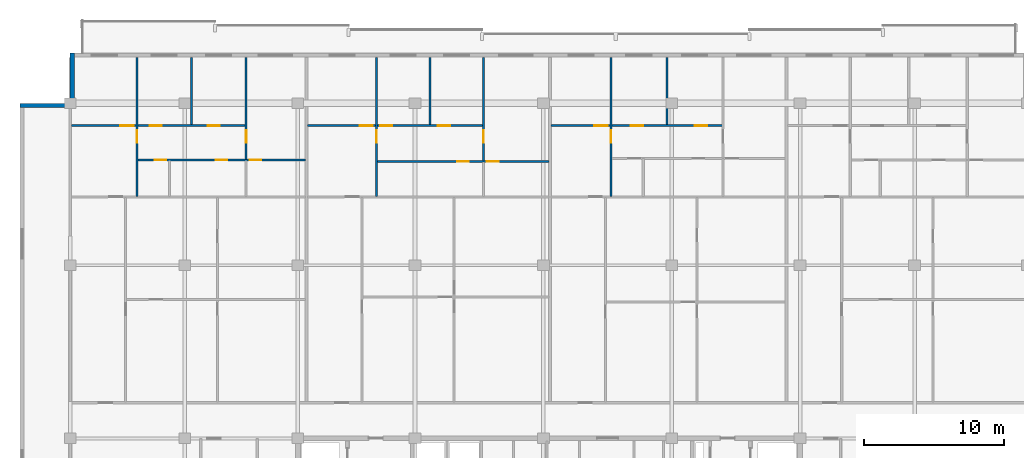
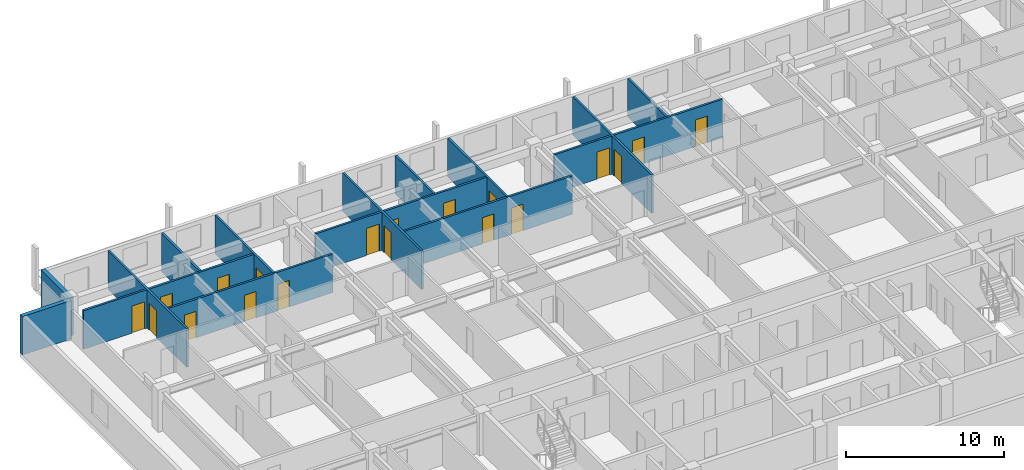
# One storey, part 15 of 23: 19 doors, 15 walls, 19 openings.
"""IFC4 building model written with IfcOpenShell, lengths in metres."""

from ifc_helpers import new_model, si_unit, direction, frame, frame_2d, origin, place, context, subcontext, project, spatial, rectangle, extrude, material, layer, layer_set, type_object, element, fill, save


model = new_model("IFC4")

# Units and contexts
model_context = context("Model", 3, precision=1e-05, world=origin(), true_north=direction((0.0, 1.0)))
body_context = subcontext(model_context, "Body", "Model", "MODEL_VIEW")
ifc_project = project(units=[si_unit("LENGTHUNIT", "METRE"), si_unit("AREAUNIT", "SQUARE_METRE"), si_unit("VOLUMEUNIT", "CUBIC_METRE"), si_unit("PLANEANGLEUNIT", "RADIAN"), si_unit("MASSUNIT", "GRAM", prefix="KILO")], contexts=[model_context])

# Site, building, storey
site_placement = place(None, origin())
site = spatial("IfcSite", under=ifc_project, at=site_placement, CompositionType="ELEMENT")
building_placement = place(site_placement, origin())
building = spatial("IfcBuilding", under=site, at=building_placement, Name="Korimba Cascade Residences", CompositionType="ELEMENT")
storey_placement = place(building_placement, frame((0.0, 0.0, 162.10009765625)))
storey = spatial("IfcBuildingStorey", under=building, at=storey_placement, Name="L46", CompositionType="ELEMENT", Elevation=162.10009765625)

# Walls
ifc_material_1 = material(Name="Precast concrete C40/50", Category="concrete")
ifc_layer_1 = layer(ifc_material_1, 0.300048828125)
ifc_layer_set_1 = layer_set([ifc_layer_1], Name="Precast concrete C40/50")
wall_type_1 = type_object("IfcWallType", Name="EW-STONE-300", PredefinedType="STANDARD", material=ifc_layer_set_1)
for number, where, z_axis, x_axis, name in (
    (1, (59.949951171875, 94.800048828125, 0.0), (0.0, 0.0, 1.0), (0.0, -1.0, 0.0), "L46 T1 Perimeter Stone Wall E07"),
    (2, (59.800048828125, 91.050048828125, 0.0), (0.0, 0.0, 1.0), (-1.0, 0.0, 0.0), "L46 T1 Perimeter Stone Wall E08"),
):
    element("IfcWall", number, at=place(storey_placement, frame(where, z_axis=z_axis, x_axis=x_axis)), inside=storey, type_object=wall_type_1, Name=name, PredefinedType="STANDARD", context=body_context, shape_type="SweptSolid", body=[
        extrude(rectangle(XDim=3.60009765625, YDim=0.300048828125, at=frame_2d((1.800048828125, 0.0))), origin(), (0.0, 0.0, 1.0), 2.969970703125),
    ])
ifc_material_2 = material(Name="Insulated Acoustic Stud Partition", Category="gypsum")
ifc_layer_2 = layer(ifc_material_2, 0.14990234375)
ifc_layer_set_2 = layer_set([ifc_layer_2], Name="Insulated Acoustic Stud Partition")
wall_type_2 = type_object("IfcWallType", Name="WAL-PART-150", PredefinedType="PARTITIONING", material=ifc_layer_set_2)
wall_1_placement = place(storey_placement, frame((68.49755859375, 89.679931640625, 0.0), z_axis=(0.0, 0.0, 1.0), x_axis=(0.0, 1.0, 0.0)))
element("IfcWall", 3, at=wall_1_placement, inside=storey, type_object=wall_type_2, Name="L46 Partition Wall WAL-L46-T1-U01-VB3", PredefinedType="PARTITIONING", context=body_context, shape_type="SweptSolid", body=[
    extrude(rectangle(XDim=4.820068359375, YDim=0.14990234375, at=frame_2d((2.41015625, 0.0))), origin(), (0.0, 0.0, 1.0), 2.969970703125),
])

# Wall, opening, door
wall_2_placement = place(storey_placement, frame((64.590087890625, 84.5400390625, 0.0), z_axis=(0.0, 0.0, 1.0), x_axis=(0.0, 1.0, 0.0)))
wall_2 = element("IfcWall", 4, at=wall_2_placement, inside=storey, type_object=wall_type_2, Name="L46 Partition Wall WAL-L46-T1-U01-V1", PredefinedType="PARTITIONING", context=body_context, shape_type="SweptSolid", body=[
    extrude(rectangle(XDim=9.9599609375, YDim=0.14990234375, at=frame_2d((4.97998046875, 0.0))), origin(), (0.0, 0.0, 1.0), 2.969970703125),
])
opening_1_placement = place(wall_2_placement, frame((3.820068359375, 0.0, 0.0)))
opening_1 = element("IfcOpeningElement", 5, at=opening_1_placement, cuts=wall_2, Name="Opening D-IN1", PredefinedType="OPENING", context=body_context, shape_type="SweptSolid", body=[
    extrude(rectangle(XDim=0.919921875, YDim=2.080078125, at=frame_2d((0.4599609375, 1.0400390625))), frame((0.0, 0.0849609375, 0.0), z_axis=(0.0, -1.0, 0.0), x_axis=(1.0, 0.0, 0.0)), (0.0, 0.0, 1.0), 0.169921875),
])
ifc_material_3 = material(Name="Acoustic Timber Living Door", Category="wood")
door_type_1 = type_object("IfcDoorType", Name="DR-INT-920", OperationType="NOTDEFINED", PredefinedType="DOOR", material=ifc_material_3)
door_1_placement = place(opening_1_placement, origin())
door_1 = element("IfcDoor", 6, at=door_1_placement, inside=storey, type_object=door_type_1, Name="L46-T1-U01 Hallway Door", OperationType="SINGLE_SWING_RIGHT", OverallHeight=2.080078125, OverallWidth=0.919921875, PredefinedType="DOOR", context=body_context, shape_type="SweptSolid", body=[
    extrude(rectangle(XDim=0.919921875, YDim=2.080078125, at=frame_2d((0.4599609375, 1.0400390625))), frame((0.0, 0.02490234375, 0.0), z_axis=(0.0, -1.0, 0.0), x_axis=(1.0, 0.0, 0.0)), (0.0, 0.0, 1.0), 0.050048828125),
])
fill(opening_1, door_1)

wall_3_placement = place(storey_placement, frame((72.405029296875, 87.159912109375, 0.0), z_axis=(0.0, 0.0, 1.0), x_axis=(0.0, 1.0, 0.0)))
wall_3 = element("IfcWall", 7, at=wall_3_placement, inside=storey, type_object=wall_type_2, Name="L46 Partition Wall WAL-L46-T1-U01-V2FULL", PredefinedType="PARTITIONING", context=body_context, shape_type="SweptSolid", body=[
    extrude(rectangle(XDim=7.340087890625, YDim=0.14990234375, at=frame_2d((3.669921875, 0.0))), origin(), (0.0, 0.0, 1.0), 2.969970703125),
])
opening_2_placement = place(wall_3_placement, frame((1.199951171875, 0.0, 0.0)))
opening_2 = element("IfcOpeningElement", 8, at=opening_2_placement, cuts=wall_3, Name="Opening D-IN1", PredefinedType="OPENING", context=body_context, shape_type="SweptSolid", body=[
    extrude(rectangle(XDim=0.919921875, YDim=2.080078125, at=frame_2d((0.4599609375, 1.0400390625))), frame((0.0, 0.0849609375, 0.0), z_axis=(0.0, -1.0, 0.0), x_axis=(1.0, 0.0, 0.0)), (0.0, 0.0, 1.0), 0.169921875),
])
door_2_placement = place(opening_2_placement, origin())
door_2 = element("IfcDoor", 9, at=door_2_placement, inside=storey, type_object=door_type_1, Name="L46-T1-U01 Master Bedroom Door", OperationType="SINGLE_SWING_LEFT", OverallHeight=2.080078125, OverallWidth=0.919921875, PredefinedType="DOOR", context=body_context, shape_type="SweptSolid", body=[
    extrude(rectangle(XDim=0.919921875, YDim=2.080078125, at=frame_2d((0.4599609375, 1.0400390625))), frame((0.0, 0.02490234375, 0.0), z_axis=(0.0, -1.0, 0.0), x_axis=(1.0, 0.0, 0.0)), (0.0, 0.0, 1.0), 0.050048828125),
])
fill(opening_2, door_2)

# Wall, openings, doors
wall_4_placement = place(storey_placement, frame((64.6298828125, 87.139892578125, 0.0), z_axis=(0.0, 0.0, 1.0), x_axis=(1.0, 0.0, 0.0)))
wall_4 = element("IfcWall", 10, at=wall_4_placement, inside=storey, type_object=wall_type_2, Name="L46 Partition Wall WAL-L46-T1-U01-HWALL", PredefinedType="PARTITIONING", context=body_context, shape_type="SweptSolid", body=[
    extrude(rectangle(XDim=12.025146484375, YDim=0.14990234375, at=frame_2d((6.0126953125, 0.0))), origin(), (0.0, 0.0, 1.0), 2.969970703125),
])
opening_3_placement = place(wall_4_placement, frame((1.2099609375, 0.0, 0.0)))
opening_3 = element("IfcOpeningElement", 11, at=opening_3_placement, cuts=wall_4, Name="Opening D-BT1", PredefinedType="OPENING", context=body_context, shape_type="SweptSolid", body=[
    extrude(rectangle(XDim=0.840087890625, YDim=2.0400390625, at=frame_2d((0.419921875, 1.02001953125))), frame((0.0, 0.0849609375, 0.0), z_axis=(0.0, -1.0, 0.0), x_axis=(1.0, 0.0, 0.0)), (0.0, 0.0, 1.0), 0.169921875),
])
opening_4_placement = place(wall_4_placement, frame((5.592529296875, 0.0, 0.0)))
opening_4 = element("IfcOpeningElement", 12, at=opening_4_placement, cuts=wall_4, Name="Opening D-BT1", PredefinedType="OPENING", context=body_context, shape_type="SweptSolid", body=[
    extrude(rectangle(XDim=0.840087890625, YDim=2.0400390625, at=frame_2d((0.419921875, 1.02001953125))), frame((0.0, 0.0849609375, 0.0), z_axis=(0.0, -1.0, 0.0), x_axis=(1.0, 0.0, 0.0)), (0.0, 0.0, 1.0), 0.169921875),
])
opening_5_placement = place(wall_4_placement, frame((8.025146484375, 0.0, 0.0)))
opening_5 = element("IfcOpeningElement", 13, at=opening_5_placement, cuts=wall_4, Name="Opening D-BT1", PredefinedType="OPENING", context=body_context, shape_type="SweptSolid", body=[
    extrude(rectangle(XDim=0.840087890625, YDim=2.0400390625, at=frame_2d((0.419921875, 1.02001953125))), frame((0.0, 0.0849609375, 0.0), z_axis=(0.0, -1.0, 0.0), x_axis=(1.0, 0.0, 0.0)), (0.0, 0.0, 1.0), 0.169921875),
])
ifc_material_4 = material(Name="Moisture-Resistant Bathroom Timber Door", Category="wood")
door_type_2 = type_object("IfcDoorType", Name="DR-INT-850", OperationType="NOTDEFINED", PredefinedType="DOOR", material=ifc_material_4)
door_3_placement = place(opening_3_placement, origin())
door_3 = element("IfcDoor", 14, at=door_3_placement, inside=storey, type_object=door_type_2, Name="L46-T1-U01 Family Bathroom Door", OperationType="SINGLE_SWING_RIGHT", OverallHeight=2.0400390625, OverallWidth=0.840087890625, PredefinedType="DOOR", context=body_context, shape_type="SweptSolid", body=[
    extrude(rectangle(XDim=0.840087890625, YDim=2.0400390625, at=frame_2d((0.419921875, 1.02001953125))), frame((0.0, 0.02490234375, 0.0), z_axis=(0.0, -1.0, 0.0), x_axis=(1.0, 0.0, 0.0)), (0.0, 0.0, 1.0), 0.050048828125),
])
fill(opening_3, door_3)
door_4_placement = place(opening_4_placement, origin())
door_4 = element("IfcDoor", 15, at=door_4_placement, inside=storey, type_object=door_type_2, Name="L46-T1-U01 Dressing Room Door", OperationType="SINGLE_SWING_LEFT", OverallHeight=2.0400390625, OverallWidth=0.840087890625, PredefinedType="DOOR", context=body_context, shape_type="SweptSolid", body=[
    extrude(rectangle(XDim=0.840087890625, YDim=2.0400390625, at=frame_2d((0.419921875, 1.02001953125))), frame((0.0, 0.02490234375, 0.0), z_axis=(0.0, -1.0, 0.0), x_axis=(1.0, 0.0, 0.0)), (0.0, 0.0, 1.0), 0.050048828125),
])
fill(opening_4, door_4)
door_5_placement = place(opening_5_placement, origin())
door_5 = element("IfcDoor", 16, at=door_5_placement, inside=storey, type_object=door_type_2, Name="L46-T1-U01 En-Suite Door", OperationType="SINGLE_SWING_RIGHT", OverallHeight=2.0400390625, OverallWidth=0.840087890625, PredefinedType="DOOR", context=body_context, shape_type="SweptSolid", body=[
    extrude(rectangle(XDim=0.840087890625, YDim=2.0400390625, at=frame_2d((0.419921875, 1.02001953125))), frame((0.0, 0.02490234375, 0.0), z_axis=(0.0, -1.0, 0.0), x_axis=(1.0, 0.0, 0.0)), (0.0, 0.0, 1.0), 0.050048828125),
])
fill(opening_5, door_5)

wall_5_placement = place(storey_placement, frame((59.8798828125, 89.60009765625, 0.0), z_axis=(0.0, 0.0, 1.0), x_axis=(1.0, 0.0, 0.0)))
wall_5 = element("IfcWall", 17, at=wall_5_placement, inside=storey, type_object=wall_type_2, Name="L46 Partition Wall WAL-L46-T1-U01-HZ", PredefinedType="PARTITIONING", context=body_context, shape_type="SweptSolid", body=[
    extrude(rectangle(XDim=12.525146484375, YDim=0.14990234375, at=frame_2d((6.2626953125, 0.0))), origin(), (0.0, 0.0, 1.0), 2.969970703125),
])
opening_6_placement = place(wall_5_placement, frame((3.52001953125, 0.0, 0.0)))
opening_6 = element("IfcOpeningElement", 18, at=opening_6_placement, cuts=wall_5, Name="Opening D-IN0", PredefinedType="OPENING", context=body_context, shape_type="SweptSolid", body=[
    extrude(rectangle(XDim=0.93994140625, YDim=2.10009765625, at=frame_2d((0.469970703125, 1.050048828125))), frame((0.0, 0.0849609375, 0.0), z_axis=(0.0, -1.0, 0.0), x_axis=(1.0, 0.0, 0.0)), (0.0, 0.0, 1.0), 0.169921875),
])
opening_7_placement = place(wall_5_placement, frame((5.602783203125, 0.0, 0.0)))
opening_7 = element("IfcOpeningElement", 19, at=opening_7_placement, cuts=wall_5, Name="Opening D-IN2", PredefinedType="OPENING", context=body_context, shape_type="SweptSolid", body=[
    extrude(rectangle(XDim=0.8798828125, YDim=2.06005859375, at=frame_2d((0.43994140625, 1.030029296875))), frame((0.0, 0.0849609375, 0.0), z_axis=(0.0, -1.0, 0.0), x_axis=(1.0, 0.0, 0.0)), (0.0, 0.0, 1.0), 0.169921875),
])
opening_8_placement = place(wall_5_placement, frame((9.76904296875, 0.0, 0.0)))
opening_8 = element("IfcOpeningElement", 20, at=opening_8_placement, cuts=wall_5, Name="Opening D-IN2", PredefinedType="OPENING", context=body_context, shape_type="SweptSolid", body=[
    extrude(rectangle(XDim=0.8798828125, YDim=2.06005859375, at=frame_2d((0.43994140625, 1.030029296875))), frame((0.0, 0.0849609375, 0.0), z_axis=(0.0, -1.0, 0.0), x_axis=(1.0, 0.0, 0.0)), (0.0, 0.0, 1.0), 0.169921875),
])
ifc_material_5 = material(Name="Acoustic Timber Bedroom Door", Category="wood")
door_type_3 = type_object("IfcDoorType", Name="DR-INT-880", OperationType="NOTDEFINED", PredefinedType="DOOR", material=ifc_material_5)
door_6_placement = place(opening_7_placement, origin())
door_6 = element("IfcDoor", 21, at=door_6_placement, inside=storey, type_object=door_type_3, Name="L46-T1-U01 Bedroom 2 Door", OperationType="SINGLE_SWING_LEFT", OverallHeight=2.06005859375, OverallWidth=0.8798828125, PredefinedType="DOOR", context=body_context, shape_type="SweptSolid", body=[
    extrude(rectangle(XDim=0.8798828125, YDim=2.06005859375, at=frame_2d((0.43994140625, 1.030029296875))), frame((0.0, 0.02490234375, 0.0), z_axis=(0.0, -1.0, 0.0), x_axis=(1.0, 0.0, 0.0)), (0.0, 0.0, 1.0), 0.050048828125),
])
fill(opening_7, door_6)
door_7_placement = place(opening_8_placement, origin())
door_7 = element("IfcDoor", 22, at=door_7_placement, inside=storey, type_object=door_type_3, Name="L46-T1-U01 Bedroom 3 Door", OperationType="SINGLE_SWING_RIGHT", OverallHeight=2.06005859375, OverallWidth=0.8798828125, PredefinedType="DOOR", context=body_context, shape_type="SweptSolid", body=[
    extrude(rectangle(XDim=0.8798828125, YDim=2.06005859375, at=frame_2d((0.43994140625, 1.030029296875))), frame((0.0, 0.02490234375, 0.0), z_axis=(0.0, -1.0, 0.0), x_axis=(1.0, 0.0, 0.0)), (0.0, 0.0, 1.0), 0.050048828125),
])
fill(opening_8, door_7)
ifc_material_6 = material(Name="Acoustic Timber Living Archway Door", Category="wood")
door_type_4 = type_object("IfcDoorType", Name="DR-INT-950", OperationType="NOTDEFINED", PredefinedType="DOOR", material=ifc_material_6)
door_8_placement = place(opening_6_placement, origin())
door_8 = element("IfcDoor", 23, at=door_8_placement, inside=storey, type_object=door_type_4, Name="L46-T1-U01 Living Room Door", OperationType="SINGLE_SWING_RIGHT", OverallHeight=2.10009765625, OverallWidth=0.93994140625, PredefinedType="DOOR", context=body_context, shape_type="SweptSolid", body=[
    extrude(rectangle(XDim=0.93994140625, YDim=2.10009765625, at=frame_2d((0.469970703125, 1.050048828125))), frame((0.0, 0.02490234375, 0.0), z_axis=(0.0, -1.0, 0.0), x_axis=(1.0, 0.0, 0.0)), (0.0, 0.0, 1.0), 0.050048828125),
])
fill(opening_6, door_8)

# Wall
wall_6_placement = place(storey_placement, frame((85.570068359375, 89.679931640625, 0.0), z_axis=(0.0, 0.0, 1.0), x_axis=(0.0, 1.0, 0.0)))
element("IfcWall", 24, at=wall_6_placement, inside=storey, type_object=wall_type_2, Name="L46 Partition Wall WAL-L46-T1-U02-VB3", PredefinedType="PARTITIONING", context=body_context, shape_type="SweptSolid", body=[
    extrude(rectangle(XDim=4.820068359375, YDim=0.14990234375, at=frame_2d((2.41015625, 0.0))), origin(), (0.0, 0.0, 1.0), 2.969970703125),
])

# Wall, opening, door
wall_7_placement = place(storey_placement, frame((81.735107421875, 84.5400390625, 0.0), z_axis=(0.0, 0.0, 1.0), x_axis=(0.0, 1.0, 0.0)))
wall_7 = element("IfcWall", 25, at=wall_7_placement, inside=storey, type_object=wall_type_2, Name="L46 Partition Wall WAL-L46-T1-U02-V1", PredefinedType="PARTITIONING", context=body_context, shape_type="SweptSolid", body=[
    extrude(rectangle(XDim=9.9599609375, YDim=0.14990234375, at=frame_2d((4.97998046875, 0.0))), origin(), (0.0, 0.0, 1.0), 2.969970703125),
])
opening_9_placement = place(wall_7_placement, frame((3.820068359375, 0.0, 0.0)))
opening_9 = element("IfcOpeningElement", 26, at=opening_9_placement, cuts=wall_7, Name="Opening D-IN1", PredefinedType="OPENING", context=body_context, shape_type="SweptSolid", body=[
    extrude(rectangle(XDim=0.919921875, YDim=2.080078125, at=frame_2d((0.4599609375, 1.0400390625))), frame((0.0, 0.0849609375, 0.0), z_axis=(0.0, -1.0, 0.0), x_axis=(1.0, 0.0, 0.0)), (0.0, 0.0, 1.0), 0.169921875),
])
door_9_placement = place(opening_9_placement, origin())
door_9 = element("IfcDoor", 27, at=door_9_placement, inside=storey, type_object=door_type_1, Name="L46-T1-U02 Hallway Door", OperationType="SINGLE_SWING_LEFT", OverallHeight=2.080078125, OverallWidth=0.919921875, PredefinedType="DOOR", context=body_context, shape_type="SweptSolid", body=[
    extrude(rectangle(XDim=0.919921875, YDim=2.080078125, at=frame_2d((0.4599609375, 1.0400390625))), frame((0.0, 0.02490234375, 0.0), z_axis=(0.0, -1.0, 0.0), x_axis=(1.0, 0.0, 0.0)), (0.0, 0.0, 1.0), 0.050048828125),
])
fill(opening_9, door_9)

wall_8_placement = place(storey_placement, frame((89.405029296875, 87.050048828125, 0.0), z_axis=(0.0, 0.0, 1.0), x_axis=(0.0, 1.0, 0.0)))
wall_8 = element("IfcWall", 28, at=wall_8_placement, inside=storey, type_object=wall_type_2, Name="L46 Partition Wall WAL-L46-T1-U02-V2FULL", PredefinedType="PARTITIONING", context=body_context, shape_type="SweptSolid", body=[
    extrude(rectangle(XDim=7.449951171875, YDim=0.14990234375, at=frame_2d((3.72509765625, 0.0))), origin(), (0.0, 0.0, 1.0), 2.969970703125),
])
opening_10_placement = place(wall_8_placement, frame((1.31005859375, 0.0, 0.0)))
opening_10 = element("IfcOpeningElement", 29, at=opening_10_placement, cuts=wall_8, Name="Opening D-IN1", PredefinedType="OPENING", context=body_context, shape_type="SweptSolid", body=[
    extrude(rectangle(XDim=0.919921875, YDim=2.080078125, at=frame_2d((0.4599609375, 1.0400390625))), frame((0.0, 0.0849609375, 0.0), z_axis=(0.0, -1.0, 0.0), x_axis=(1.0, 0.0, 0.0)), (0.0, 0.0, 1.0), 0.169921875),
])
door_10_placement = place(opening_10_placement, origin())
door_10 = element("IfcDoor", 30, at=door_10_placement, inside=storey, type_object=door_type_1, Name="L46-T1-U02 Master Bedroom Door", OperationType="SINGLE_SWING_RIGHT", OverallHeight=2.080078125, OverallWidth=0.919921875, PredefinedType="DOOR", context=body_context, shape_type="SweptSolid", body=[
    extrude(rectangle(XDim=0.919921875, YDim=2.080078125, at=frame_2d((0.4599609375, 1.0400390625))), frame((0.0, 0.02490234375, 0.0), z_axis=(0.0, -1.0, 0.0), x_axis=(1.0, 0.0, 0.0)), (0.0, 0.0, 1.0), 0.050048828125),
])
fill(opening_10, door_10)

# Wall, openings, doors
wall_9_placement = place(storey_placement, frame((81.775146484375, 87.030029296875, 0.0), z_axis=(0.0, 0.0, 1.0), x_axis=(1.0, 0.0, 0.0)))
wall_9 = element("IfcWall", 31, at=wall_9_placement, inside=storey, type_object=wall_type_2, Name="L46 Partition Wall WAL-L46-T1-U02-HWALL", PredefinedType="PARTITIONING", context=body_context, shape_type="SweptSolid", body=[
    extrude(rectangle(XDim=12.31982421875, YDim=0.14990234375, at=frame_2d((6.159912109375, 0.0))), origin(), (0.0, 0.0, 1.0), 2.969970703125),
])
opening_11_placement = place(wall_9_placement, frame((5.739990234375, 0.0, 0.0)))
opening_11 = element("IfcOpeningElement", 32, at=opening_11_placement, cuts=wall_9, Name="Opening D-BT1", PredefinedType="OPENING", context=body_context, shape_type="SweptSolid", body=[
    extrude(rectangle(XDim=0.840087890625, YDim=2.0400390625, at=frame_2d((0.419921875, 1.02001953125))), frame((0.0, 0.0849609375, 0.0), z_axis=(0.0, -1.0, 0.0), x_axis=(1.0, 0.0, 0.0)), (0.0, 0.0, 1.0), 0.169921875),
])
opening_12_placement = place(wall_9_placement, frame((7.8798828125, 0.0, 0.0)))
opening_12 = element("IfcOpeningElement", 33, at=opening_12_placement, cuts=wall_9, Name="Opening D-BT1", PredefinedType="OPENING", context=body_context, shape_type="SweptSolid", body=[
    extrude(rectangle(XDim=0.840087890625, YDim=2.0400390625, at=frame_2d((0.419921875, 1.02001953125))), frame((0.0, 0.0849609375, 0.0), z_axis=(0.0, -1.0, 0.0), x_axis=(1.0, 0.0, 0.0)), (0.0, 0.0, 1.0), 0.169921875),
])
door_11_placement = place(opening_11_placement, origin())
door_11 = element("IfcDoor", 34, at=door_11_placement, inside=storey, type_object=door_type_2, Name="L46-T1-U02 Family Bathroom Door", OperationType="SINGLE_SWING_LEFT", OverallHeight=2.0400390625, OverallWidth=0.840087890625, PredefinedType="DOOR", context=body_context, shape_type="SweptSolid", body=[
    extrude(rectangle(XDim=0.840087890625, YDim=2.0400390625, at=frame_2d((0.419921875, 1.02001953125))), frame((0.0, 0.02490234375, 0.0), z_axis=(0.0, -1.0, 0.0), x_axis=(1.0, 0.0, 0.0)), (0.0, 0.0, 1.0), 0.050048828125),
])
fill(opening_11, door_11)
door_12_placement = place(opening_12_placement, origin())
door_12 = element("IfcDoor", 35, at=door_12_placement, inside=storey, type_object=door_type_2, Name="L46-T1-U02 En-Suite Door", OperationType="SINGLE_SWING_RIGHT", OverallHeight=2.0400390625, OverallWidth=0.840087890625, PredefinedType="DOOR", context=body_context, shape_type="SweptSolid", body=[
    extrude(rectangle(XDim=0.840087890625, YDim=2.0400390625, at=frame_2d((0.419921875, 1.02001953125))), frame((0.0, 0.02490234375, 0.0), z_axis=(0.0, -1.0, 0.0), x_axis=(1.0, 0.0, 0.0)), (0.0, 0.0, 1.0), 0.050048828125),
])
fill(opening_12, door_12)

wall_10_placement = place(storey_placement, frame((76.815185546875, 89.60009765625, 0.0), z_axis=(0.0, 0.0, 1.0), x_axis=(1.0, 0.0, 0.0)))
wall_10 = element("IfcWall", 36, at=wall_10_placement, inside=storey, type_object=wall_type_2, Name="L46 Partition Wall WAL-L46-T1-U02-HZ", PredefinedType="PARTITIONING", context=body_context, shape_type="SweptSolid", body=[
    extrude(rectangle(XDim=12.58984375, YDim=0.14990234375, at=frame_2d((6.294921875, 0.0))), origin(), (0.0, 0.0, 1.0), 2.969970703125),
])
opening_13_placement = place(wall_10_placement, frame((3.72998046875, 0.0, 0.0)))
opening_13 = element("IfcOpeningElement", 37, at=opening_13_placement, cuts=wall_10, Name="Opening D-IN0", PredefinedType="OPENING", context=body_context, shape_type="SweptSolid", body=[
    extrude(rectangle(XDim=0.93994140625, YDim=2.10009765625, at=frame_2d((0.469970703125, 1.050048828125))), frame((0.0, 0.0849609375, 0.0), z_axis=(0.0, -1.0, 0.0), x_axis=(1.0, 0.0, 0.0)), (0.0, 0.0, 1.0), 0.169921875),
])
opening_14_placement = place(wall_10_placement, frame((5.190185546875, 0.0, 0.0)))
opening_14 = element("IfcOpeningElement", 38, at=opening_14_placement, cuts=wall_10, Name="Opening D-IN2", PredefinedType="OPENING", context=body_context, shape_type="SweptSolid", body=[
    extrude(rectangle(XDim=0.8798828125, YDim=2.06005859375, at=frame_2d((0.43994140625, 1.030029296875))), frame((0.0, 0.0849609375, 0.0), z_axis=(0.0, -1.0, 0.0), x_axis=(1.0, 0.0, 0.0)), (0.0, 0.0, 1.0), 0.169921875),
])
opening_15_placement = place(wall_10_placement, frame((9.3271484375, 0.0, 0.0)))
opening_15 = element("IfcOpeningElement", 39, at=opening_15_placement, cuts=wall_10, Name="Opening D-IN2", PredefinedType="OPENING", context=body_context, shape_type="SweptSolid", body=[
    extrude(rectangle(XDim=0.8798828125, YDim=2.06005859375, at=frame_2d((0.43994140625, 1.030029296875))), frame((0.0, 0.0849609375, 0.0), z_axis=(0.0, -1.0, 0.0), x_axis=(1.0, 0.0, 0.0)), (0.0, 0.0, 1.0), 0.169921875),
])
door_13_placement = place(opening_14_placement, origin())
door_13 = element("IfcDoor", 40, at=door_13_placement, inside=storey, type_object=door_type_3, Name="L46-T1-U02 Bedroom 2 Door", OperationType="SINGLE_SWING_LEFT", OverallHeight=2.06005859375, OverallWidth=0.8798828125, PredefinedType="DOOR", context=body_context, shape_type="SweptSolid", body=[
    extrude(rectangle(XDim=0.8798828125, YDim=2.06005859375, at=frame_2d((0.43994140625, 1.030029296875))), frame((0.0, 0.02490234375, 0.0), z_axis=(0.0, -1.0, 0.0), x_axis=(1.0, 0.0, 0.0)), (0.0, 0.0, 1.0), 0.050048828125),
])
fill(opening_14, door_13)
door_14_placement = place(opening_15_placement, origin())
door_14 = element("IfcDoor", 41, at=door_14_placement, inside=storey, type_object=door_type_3, Name="L46-T1-U02 Bedroom 3 Door", OperationType="SINGLE_SWING_RIGHT", OverallHeight=2.06005859375, OverallWidth=0.8798828125, PredefinedType="DOOR", context=body_context, shape_type="SweptSolid", body=[
    extrude(rectangle(XDim=0.8798828125, YDim=2.06005859375, at=frame_2d((0.43994140625, 1.030029296875))), frame((0.0, 0.02490234375, 0.0), z_axis=(0.0, -1.0, 0.0), x_axis=(1.0, 0.0, 0.0)), (0.0, 0.0, 1.0), 0.050048828125),
])
fill(opening_15, door_14)
door_15_placement = place(opening_13_placement, origin())
door_15 = element("IfcDoor", 42, at=door_15_placement, inside=storey, type_object=door_type_4, Name="L46-T1-U02 Living Room Door", OperationType="SINGLE_SWING_RIGHT", OverallHeight=2.10009765625, OverallWidth=0.93994140625, PredefinedType="DOOR", context=body_context, shape_type="SweptSolid", body=[
    extrude(rectangle(XDim=0.93994140625, YDim=2.10009765625, at=frame_2d((0.469970703125, 1.050048828125))), frame((0.0, 0.02490234375, 0.0), z_axis=(0.0, -1.0, 0.0), x_axis=(1.0, 0.0, 0.0)), (0.0, 0.0, 1.0), 0.050048828125),
])
fill(opening_13, door_15)

# Wall
wall_11_placement = place(storey_placement, frame((102.552490234375, 89.679931640625, 0.0), z_axis=(0.0, 0.0, 1.0), x_axis=(0.0, 1.0, 0.0)))
element("IfcWall", 43, at=wall_11_placement, inside=storey, type_object=wall_type_2, Name="L46 Partition Wall WAL-L46-T1-U03-VB3", PredefinedType="PARTITIONING", context=body_context, shape_type="SweptSolid", body=[
    extrude(rectangle(XDim=4.820068359375, YDim=0.14990234375, at=frame_2d((2.41015625, 0.0))), origin(), (0.0, 0.0, 1.0), 2.969970703125),
])

# Wall, opening, door
wall_12_placement = place(storey_placement, frame((98.544921875, 84.5400390625, 0.0), z_axis=(0.0, 0.0, 1.0), x_axis=(0.0, 1.0, 0.0)))
wall_12 = element("IfcWall", 44, at=wall_12_placement, inside=storey, type_object=wall_type_2, Name="L46 Partition Wall WAL-L46-T1-U03-V1", PredefinedType="PARTITIONING", context=body_context, shape_type="SweptSolid", body=[
    extrude(rectangle(XDim=9.9599609375, YDim=0.14990234375, at=frame_2d((4.97998046875, 0.0))), origin(), (0.0, 0.0, 1.0), 2.969970703125),
])
opening_16_placement = place(wall_12_placement, frame((3.820068359375, 0.0, 0.0)))
opening_16 = element("IfcOpeningElement", 45, at=opening_16_placement, cuts=wall_12, Name="Opening D-IN1", PredefinedType="OPENING", context=body_context, shape_type="SweptSolid", body=[
    extrude(rectangle(XDim=0.919921875, YDim=2.080078125, at=frame_2d((0.4599609375, 1.0400390625))), frame((0.0, 0.0849609375, 0.0), z_axis=(0.0, -1.0, 0.0), x_axis=(1.0, 0.0, 0.0)), (0.0, 0.0, 1.0), 0.169921875),
])
door_16_placement = place(opening_16_placement, origin())
door_16 = element("IfcDoor", 46, at=door_16_placement, inside=storey, type_object=door_type_1, Name="L46-T1-U03 Hallway Door", OperationType="SINGLE_SWING_LEFT", OverallHeight=2.080078125, OverallWidth=0.919921875, PredefinedType="DOOR", context=body_context, shape_type="SweptSolid", body=[
    extrude(rectangle(XDim=0.919921875, YDim=2.080078125, at=frame_2d((0.4599609375, 1.0400390625))), frame((0.0, 0.02490234375, 0.0), z_axis=(0.0, -1.0, 0.0), x_axis=(1.0, 0.0, 0.0)), (0.0, 0.0, 1.0), 0.050048828125),
])
fill(opening_16, door_16)

# Wall, openings, doors
wall_13_placement = place(storey_placement, frame((94.2548828125, 89.60009765625, 0.0), z_axis=(0.0, 0.0, 1.0), x_axis=(1.0, 0.0, 0.0)))
wall_13 = element("IfcWall", 47, at=wall_13_placement, inside=storey, type_object=wall_type_2, Name="L46 Partition Wall WAL-L46-T1-U03-HZ", PredefinedType="PARTITIONING", context=body_context, shape_type="SweptSolid", body=[
    extrude(rectangle(XDim=12.30517578125, YDim=0.14990234375, at=frame_2d((6.152587890625, 0.0))), origin(), (0.0, 0.0, 1.0), 2.969970703125),
])
opening_17_placement = place(wall_13_placement, frame((3.10009765625, 0.0, 0.0)))
opening_17 = element("IfcOpeningElement", 48, at=opening_17_placement, cuts=wall_13, Name="Opening D-IN0", PredefinedType="OPENING", context=body_context, shape_type="SweptSolid", body=[
    extrude(rectangle(XDim=0.93994140625, YDim=2.10009765625, at=frame_2d((0.469970703125, 1.050048828125))), frame((0.0, 0.0849609375, 0.0), z_axis=(0.0, -1.0, 0.0), x_axis=(1.0, 0.0, 0.0)), (0.0, 0.0, 1.0), 0.169921875),
])
opening_18_placement = place(wall_13_placement, frame((5.712646484375, 0.0, 0.0)))
opening_18 = element("IfcOpeningElement", 49, at=opening_18_placement, cuts=wall_13, Name="Opening D-IN2", PredefinedType="OPENING", context=body_context, shape_type="SweptSolid", body=[
    extrude(rectangle(XDim=0.8798828125, YDim=2.06005859375, at=frame_2d((0.43994140625, 1.030029296875))), frame((0.0, 0.0849609375, 0.0), z_axis=(0.0, -1.0, 0.0), x_axis=(1.0, 0.0, 0.0)), (0.0, 0.0, 1.0), 0.169921875),
])
opening_19_placement = place(wall_13_placement, frame((10.291259765625, 0.0, 0.0)))
opening_19 = element("IfcOpeningElement", 50, at=opening_19_placement, cuts=wall_13, Name="Opening D-IN2", PredefinedType="OPENING", context=body_context, shape_type="SweptSolid", body=[
    extrude(rectangle(XDim=0.8798828125, YDim=2.06005859375, at=frame_2d((0.43994140625, 1.030029296875))), frame((0.0, 0.0849609375, 0.0), z_axis=(0.0, -1.0, 0.0), x_axis=(1.0, 0.0, 0.0)), (0.0, 0.0, 1.0), 0.169921875),
])
door_17_placement = place(opening_18_placement, origin())
door_17 = element("IfcDoor", 51, at=door_17_placement, inside=storey, type_object=door_type_3, Name="L46-T1-U03 Bedroom 2 Door", OperationType="SINGLE_SWING_RIGHT", OverallHeight=2.06005859375, OverallWidth=0.8798828125, PredefinedType="DOOR", context=body_context, shape_type="SweptSolid", body=[
    extrude(rectangle(XDim=0.8798828125, YDim=2.06005859375, at=frame_2d((0.43994140625, 1.030029296875))), frame((0.0, 0.02490234375, 0.0), z_axis=(0.0, -1.0, 0.0), x_axis=(1.0, 0.0, 0.0)), (0.0, 0.0, 1.0), 0.050048828125),
])
fill(opening_18, door_17)
door_18_placement = place(opening_19_placement, origin())
door_18 = element("IfcDoor", 52, at=door_18_placement, inside=storey, type_object=door_type_3, Name="L46-T1-U03 Bedroom 3 Door", OperationType="SINGLE_SWING_LEFT", OverallHeight=2.06005859375, OverallWidth=0.8798828125, PredefinedType="DOOR", context=body_context, shape_type="SweptSolid", body=[
    extrude(rectangle(XDim=0.8798828125, YDim=2.06005859375, at=frame_2d((0.43994140625, 1.030029296875))), frame((0.0, 0.02490234375, 0.0), z_axis=(0.0, -1.0, 0.0), x_axis=(1.0, 0.0, 0.0)), (0.0, 0.0, 1.0), 0.050048828125),
])
fill(opening_19, door_18)
door_19_placement = place(opening_17_placement, origin())
door_19 = element("IfcDoor", 53, at=door_19_placement, inside=storey, type_object=door_type_4, Name="L46-T1-U03 Living Room Door", OperationType="SINGLE_SWING_LEFT", OverallHeight=2.10009765625, OverallWidth=0.93994140625, PredefinedType="DOOR", context=body_context, shape_type="SweptSolid", body=[
    extrude(rectangle(XDim=0.93994140625, YDim=2.10009765625, at=frame_2d((0.469970703125, 1.050048828125))), frame((0.0, 0.02490234375, 0.0), z_axis=(0.0, -1.0, 0.0), x_axis=(1.0, 0.0, 0.0)), (0.0, 0.0, 1.0), 0.050048828125),
])
fill(opening_17, door_19)

save(model, "model.ifc")
